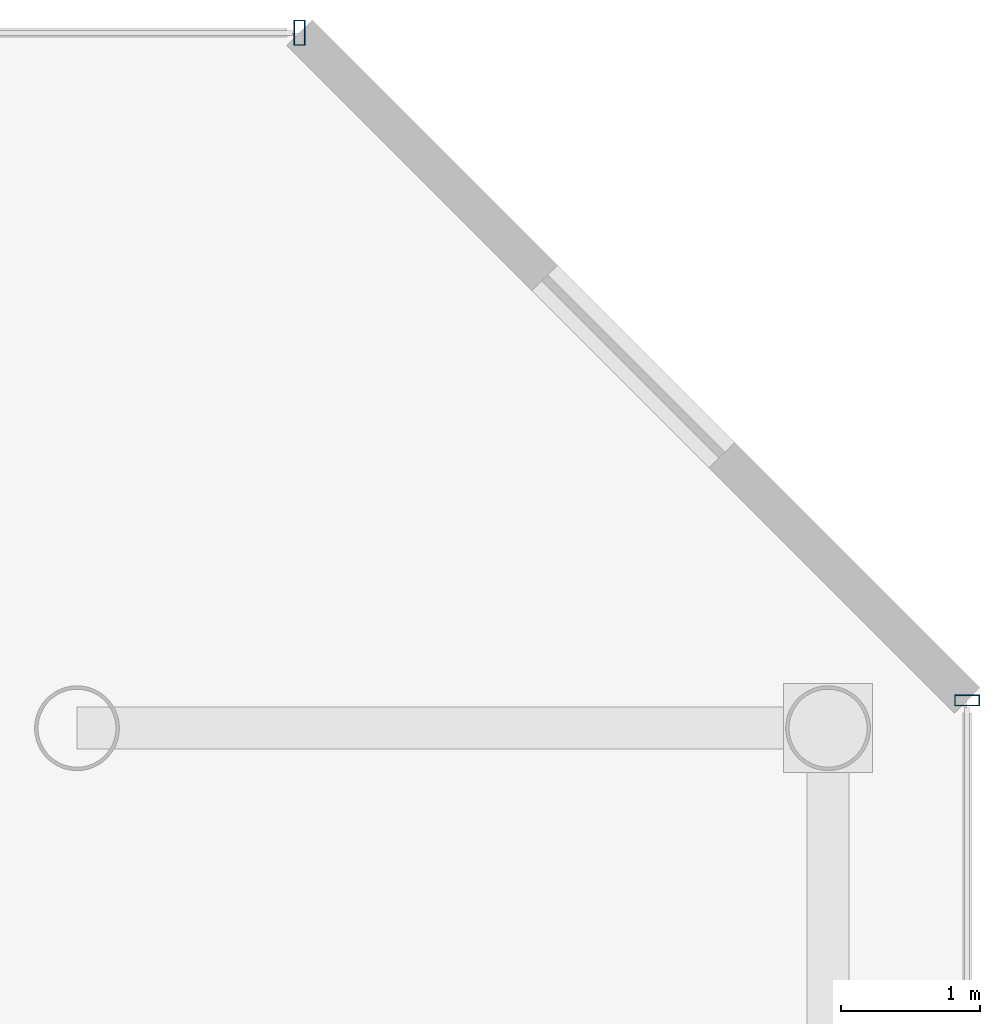
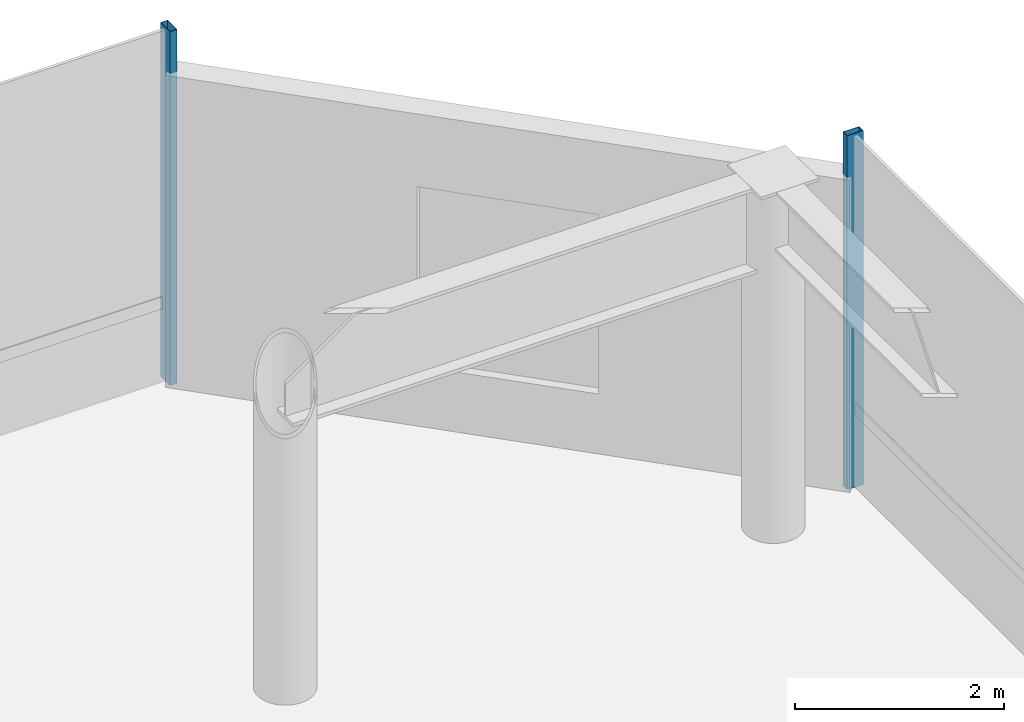
# One storey, part 31 of 37: 2 members, 2 elements without a shape of their own.
"""IFC4 building model written with IfcOpenShell, lengths in metres."""

from ifc_helpers import new_model, si_unit, direction, frame, origin, origin_2d, place, context, subcontext, project, spatial, hollow_rectangle, extrude, material, layer, layer_set, material_profile, profile_set, type_object, element, aggregate, save


model = new_model("IFC4")

# Units and contexts
model_context = context("Model", 3, precision=1e-05, world=origin(), true_north=direction((0.0, 1.0)))
body_context = subcontext(model_context, "Body", "Model", "MODEL_VIEW")
ifc_project = project(units=[si_unit("LENGTHUNIT", "METRE"), si_unit("AREAUNIT", "SQUARE_METRE"), si_unit("VOLUMEUNIT", "CUBIC_METRE"), si_unit("PLANEANGLEUNIT", "RADIAN"), si_unit("MASSUNIT", "GRAM", prefix="KILO")], contexts=[model_context])

# Site, building, storey
site_placement = place(None, origin())
site = spatial("IfcSite", under=ifc_project, at=site_placement, CompositionType="ELEMENT")
building_placement = place(site_placement, origin())
building = spatial("IfcBuilding", under=site, at=building_placement, Name="Zarrinselat Tower", CompositionType="ELEMENT")
storey_placement = place(building_placement, frame((0.0, 0.0, 13.93994140625)))
storey = spatial("IfcBuildingStorey", under=building, at=storey_placement, Name="L03", CompositionType="ELEMENT", Elevation=13.93994140625)

# Curtain wall, member
ifc_material_1 = material(Name="Extruded Aluminium Alloy EN AW-6063 T6", Category="aluminium")
ifc_layer = layer(ifc_material_1, 0.2099609375)
ifc_layer_set = layer_set([ifc_layer], Name="Extruded Aluminium Alloy EN AW-6063 T6")
curtain_wall_type = type_object("IfcCurtainWallType", Name="CWS-POD", PredefinedType="NOTDEFINED", material=ifc_layer_set)
curtain_wall_1_placement = place(storey_placement, origin())
curtain_wall_1 = element("IfcCurtainWall", 1, at=curtain_wall_1_placement, inside=storey, type_object=curtain_wall_type, Name="L03 Unitised Curtain Wall CW-L03-F3", PredefinedType="NOTDEFINED")
ifc_material_2 = material(Name="Extruded Aluminium Alloy EN AW-6063 T6", Category="aluminium")
ifc_material_profile = material_profile(ifc_material_2, hollow_rectangle(XDim=0.080078125, YDim=0.179931640625, WallThickness=0.0048828125, at=origin_2d()), Name="RHS 180x80x5")
ifc_profile_set = profile_set([ifc_material_profile], Name="Extruded Aluminium Alloy EN AW-6063 T6")
member_type = type_object("IfcMemberType", Name="MEM-CW-MUL", PredefinedType="MULLION", material=ifc_profile_set)
member_1_placement = place(storey_placement, frame((74.39990234375, 47.0, 0.0), z_axis=(0.0, 0.0, 1.0), x_axis=(0.0, 1.0, 0.0)))
member_1 = element("IfcMember", 2, at=member_1_placement, type_object=member_type, Name="CW-L03-F3 Mullion 10", PredefinedType="MULLION", context=body_context, shape_type="SweptSolid", body=[
    extrude(hollow_rectangle(XDim=0.080078125, YDim=0.179931640625, WallThickness=0.0048828125, at=origin_2d()), origin(), (0.0, 0.0, 1.0), 4.14013671875),
])
aggregate(curtain_wall_1, [member_1])

curtain_wall_2_placement = place(storey_placement, origin())
curtain_wall_2 = element("IfcCurtainWall", 3, at=curtain_wall_2_placement, inside=storey, type_object=curtain_wall_type, Name="L03 Unitised Curtain Wall CW-L03-F5", PredefinedType="NOTDEFINED")
member_2_placement = place(storey_placement, frame((69.60009765625, 51.800048828125, 0.0), z_axis=(0.0, 0.0, 1.0), x_axis=(-1.0, 0.0, 0.0)))
member_2 = element("IfcMember", 4, at=member_2_placement, type_object=member_type, Name="CW-L03-F5 Mullion 0", PredefinedType="MULLION", context=body_context, shape_type="SweptSolid", body=[
    extrude(hollow_rectangle(XDim=0.080078125, YDim=0.179931640625, WallThickness=0.0048828125, at=origin_2d()), origin(), (0.0, 0.0, 1.0), 4.14013671875),
])
aggregate(curtain_wall_2, [member_2])

save(model, "model.ifc")
